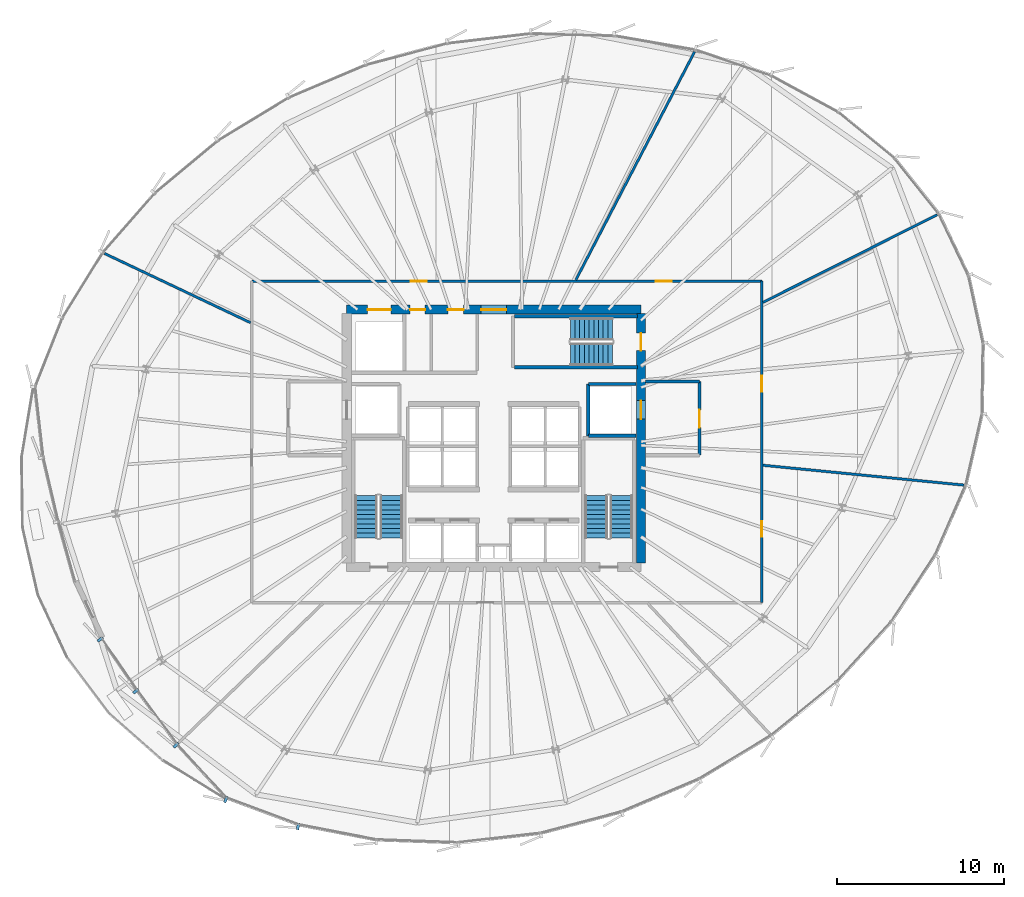
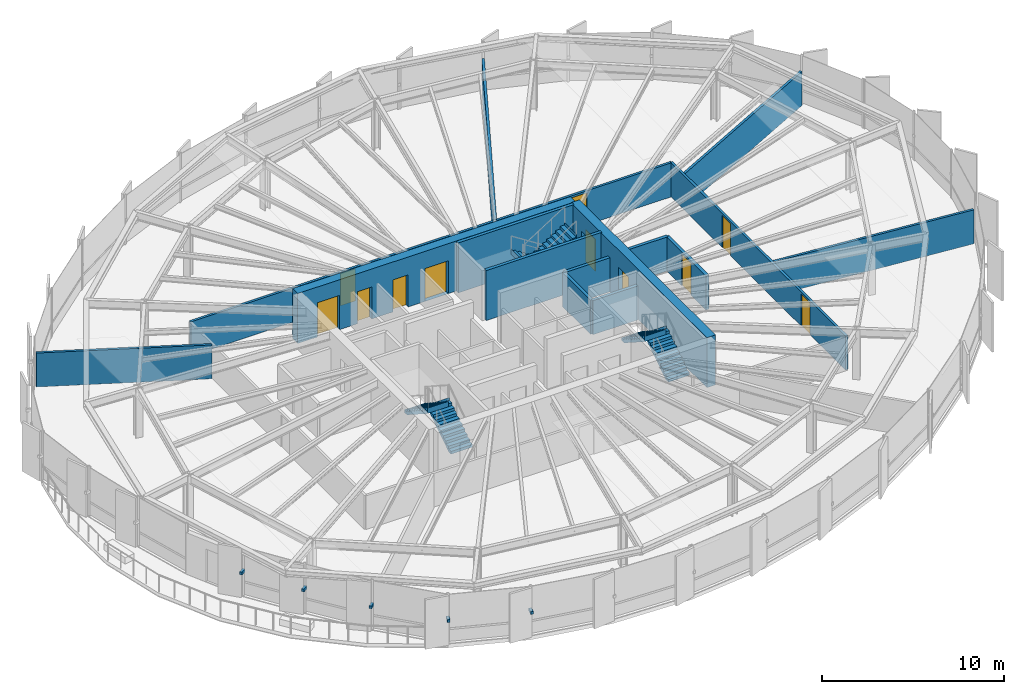
# One storey, part 28 of 33: 15 walls, 11 doors, 6 stair flights, 5 discrete accessories, 11 openings, 3 elements without a shape of their own.
"""IFC4 building model written with IfcOpenShell, lengths in metres."""

from ifc_helpers import new_model, si_unit, direction, frame, frame_2d, origin, origin_2d, place, context, subcontext, project, spatial, polyline, rectangle, outline, extrude, source, transform, mapped, material, layer, layer_set, type_object, element, fill, aggregate, save


model = new_model("IFC4")

# Units and contexts
model_context = context("Model", 3, precision=1e-05, world=origin(), true_north=direction((0.0, 1.0)))
body_context = subcontext(model_context, "Body", "Model", "MODEL_VIEW")
ifc_project = project(units=[si_unit("LENGTHUNIT", "METRE"), si_unit("AREAUNIT", "SQUARE_METRE"), si_unit("VOLUMEUNIT", "CUBIC_METRE"), si_unit("PLANEANGLEUNIT", "RADIAN"), si_unit("MASSUNIT", "GRAM", prefix="KILO"), si_unit("THERMODYNAMICTEMPERATUREUNIT", "KELVIN")], contexts=[model_context])

# Site, building, storey
site_placement = place(None, origin())
site = spatial("IfcSite", under=ifc_project, at=site_placement, CompositionType="ELEMENT")
building_placement = place(site_placement, origin())
building = spatial("IfcBuilding", under=site, at=building_placement, Name="Kethvar Cultural Tower", CompositionType="ELEMENT")
storey_placement = place(building_placement, frame((0.0, 0.0, 110.800048828125)))
storey = spatial("IfcBuildingStorey", under=building, at=storey_placement, Name="L27", CompositionType="ELEMENT", Elevation=110.800048828125)

# Wall, openings, doors
ifc_material_1 = material(Name="Concrete C60/75", Category="concrete")
ifc_layer_1 = layer(ifc_material_1, 0.550048828125, Name="Concrete C60/75", Category="concrete")
ifc_layer_set_1 = layer_set([ifc_layer_1], Name="Concrete C60/75 (550 mm)")
wall_type_1 = type_object("IfcWallType", Name="WL-CORE-550", PredefinedType="SHEAR", material=ifc_layer_set_1)
wall_1_placement = place(storey_placement, frame((55.60009765625, 35.5, 0.0), z_axis=(0.0, 0.0, 1.0), x_axis=(-1.0, 0.0, 0.0)))
wall_1 = element("IfcWall", 1, at=wall_1_placement, inside=storey, type_object=wall_type_1, Name="L27 Core Shear Wall N", PredefinedType="SHEAR", context=body_context, shape_type="SweptSolid", body=[
    extrude(rectangle(XDim=17.60009765625, YDim=0.550048828125, at=frame_2d((8.800048828125, 0.0))), origin(), (0.0, 0.0, 1.0), 3.349853515625),
])
opening_1_placement = place(wall_1_placement, frame((8.050048828125, 0.0, 0.0)))
opening_1 = element("IfcOpeningElement", 2, at=opening_1_placement, cuts=wall_1, Name="Opening D-L27-LN", PredefinedType="OPENING", context=body_context, shape_type="SweptSolid", body=[
    extrude(rectangle(XDim=1.5, YDim=2.199951171875, at=frame_2d((0.75, 1.10009765625))), frame((0.0, 0.284912109375, 0.0), z_axis=(0.0, -1.0, 0.0), x_axis=(1.0, 0.0, 0.0)), (0.0, 0.0, 1.0), 0.570068359375),
])
opening_2_placement = place(wall_1_placement, frame((14.949951171875, 0.0, 0.0)))
opening_2 = element("IfcOpeningElement", 3, at=opening_2_placement, cuts=wall_1, Name="Opening LD-G1", PredefinedType="OPENING", context=body_context, shape_type="SweptSolid", body=[
    extrude(rectangle(XDim=1.39990234375, YDim=2.300048828125, at=frame_2d((0.699951171875, 1.14990234375))), frame((0.0, 0.284912109375, 0.0), z_axis=(0.0, -1.0, 0.0), x_axis=(1.0, 0.0, 0.0)), (0.0, 0.0, 1.0), 0.570068359375),
])
opening_3_placement = place(wall_1_placement, frame((12.89990234375, 0.0, 0.0)))
opening_3 = element("IfcOpeningElement", 4, at=opening_3_placement, cuts=wall_1, Name="Opening D-L27-W1", PredefinedType="OPENING", context=body_context, shape_type="SweptSolid", body=[
    extrude(rectangle(XDim=0.89990234375, YDim=2.14990234375, at=frame_2d((0.449951171875, 1.074951171875))), frame((0.0, 0.284912109375, 0.0), z_axis=(0.0, -1.0, 0.0), x_axis=(1.0, 0.0, 0.0)), (0.0, 0.0, 1.0), 0.570068359375),
])
opening_4_placement = place(wall_1_placement, frame((10.60009765625, 0.0, 0.0)))
opening_4 = element("IfcOpeningElement", 5, at=opening_4_placement, cuts=wall_1, Name="Opening D-L27-W2", PredefinedType="OPENING", context=body_context, shape_type="SweptSolid", body=[
    extrude(rectangle(XDim=0.949951171875, YDim=2.14990234375, at=frame_2d((0.47509765625, 1.074951171875))), frame((0.0, 0.284912109375, 0.0), z_axis=(0.0, -1.0, 0.0), x_axis=(1.0, 0.0, 0.0)), (0.0, 0.0, 1.0), 0.570068359375),
])
ifc_material_2 = material(Name="Architectural Oak Timber", Category="wood")
door_type_1 = type_object("IfcDoorType", Name="DR-DBL-FD60-1500", OperationType="DOUBLE_DOOR_SINGLE_SWING", PredefinedType="DOOR", material=ifc_material_2)
shared_shape_1 = source(origin(), body_context, "Body", "SweptSolid", [
    extrude(rectangle(XDim=1.5, YDim=2.199951171875, at=frame_2d((0.75, 1.10009765625))), frame((0.0, 0.02490234375, 0.0), z_axis=(0.0, -1.0, 0.0), x_axis=(1.0, 0.0, 0.0)), (0.0, 0.0, 1.0), 0.050048828125),
])
door_1_placement = place(opening_1_placement, origin())
door_1 = element("IfcDoor", 6, at=door_1_placement, inside=storey, type_object=door_type_1, Name="L27 Lift Lobby Concourse Door", OperationType="DOUBLE_DOOR_SINGLE_SWING", OverallHeight=2.199951171875, OverallWidth=1.5, PredefinedType="DOOR", context=body_context, shape_type="MappedRepresentation", body=[
    mapped(shared_shape_1, transform((0.0, 0.0, 0.0), scale=1.0)),
])
fill(opening_1, door_1)
ifc_material_3 = material(Name="Steel S355J2", Category="steel")
door_type_2 = type_object("IfcDoorType", Name="DR-LIFT-SLIDE-1400", OperationType="NOTDEFINED", PredefinedType="DOOR", material=ifc_material_3)
shared_shape_2 = source(origin(), body_context, "Body", "SweptSolid", [
    extrude(rectangle(XDim=1.39990234375, YDim=2.300048828125, at=frame_2d((0.699951171875, 1.14990234375))), frame((0.0, 0.02490234375, 0.0), z_axis=(0.0, -1.0, 0.0), x_axis=(1.0, 0.0, 0.0)), (0.0, 0.0, 1.0), 0.050048828125),
])
door_2_placement = place(opening_2_placement, origin())
door_2 = element("IfcDoor", 7, at=door_2_placement, inside=storey, type_object=door_type_2, Name="L27 Goods Lift Landing Door", OperationType="SLIDING_TO_RIGHT", OverallHeight=2.300048828125, OverallWidth=1.39990234375, PredefinedType="DOOR", context=body_context, shape_type="MappedRepresentation", body=[
    mapped(shared_shape_2, transform((0.0, 0.0, 0.0), scale=1.0)),
])
fill(opening_2, door_2)
door_type_3 = type_object("IfcDoorType", Name="DR-FD30-950", OperationType="NOTDEFINED", PredefinedType="DOOR", material=ifc_material_2)
shared_shape_3 = source(origin(), body_context, "Body", "SweptSolid", [
    extrude(rectangle(XDim=0.949951171875, YDim=2.14990234375, at=frame_2d((0.47509765625, 1.074951171875))), frame((0.0, 0.02490234375, 0.0), z_axis=(0.0, -1.0, 0.0), x_axis=(1.0, 0.0, 0.0)), (0.0, 0.0, 1.0), 0.050048828125),
])
door_3_placement = place(opening_4_placement, origin())
door_3 = element("IfcDoor", 8, at=door_3_placement, inside=storey, type_object=door_type_3, Name="L27 Public Washroom Door", OperationType="SINGLE_SWING_RIGHT", OverallHeight=2.14990234375, OverallWidth=0.949951171875, PredefinedType="DOOR", context=body_context, shape_type="MappedRepresentation", body=[
    mapped(shared_shape_3, transform((0.0, 0.0, 0.0), scale=1.0)),
])
fill(opening_4, door_3)
door_type_4 = type_object("IfcDoorType", Name="DR-FD30-900", OperationType="NOTDEFINED", PredefinedType="DOOR", material=ifc_material_2)
shared_shape_4 = source(origin(), body_context, "Body", "SweptSolid", [
    extrude(rectangle(XDim=0.89990234375, YDim=2.14990234375, at=frame_2d((0.449951171875, 1.074951171875))), frame((0.0, 0.02490234375, 0.0), z_axis=(0.0, -1.0, 0.0), x_axis=(1.0, 0.0, 0.0)), (0.0, 0.0, 1.0), 0.050048828125),
])
door_4_placement = place(opening_3_placement, origin())
door_4 = element("IfcDoor", 9, at=door_4_placement, inside=storey, type_object=door_type_4, Name="L27 Accessible Washroom Door", OperationType="SINGLE_SWING_LEFT", OverallHeight=2.14990234375, OverallWidth=0.89990234375, PredefinedType="DOOR", context=body_context, shape_type="MappedRepresentation", body=[
    mapped(shared_shape_4, transform((0.0, 0.0, 0.0), scale=1.0)),
])
fill(opening_3, door_4)

wall_2_placement = place(storey_placement, frame((55.60009765625, 20.340087890625, 0.0), z_axis=(0.0, 0.0, 1.0), x_axis=(0.0, 1.0, 0.0)))
wall_2 = element("IfcWall", 10, at=wall_2_placement, inside=storey, type_object=wall_type_1, Name="L27 Core Shear Wall E", PredefinedType="SHEAR", context=body_context, shape_type="SweptSolid", body=[
    extrude(rectangle(XDim=14.919921875, YDim=0.550048828125, at=frame_2d((7.4599609375, 0.0))), origin(), (0.0, 0.0, 1.0), 3.349853515625),
])
opening_5_placement = place(wall_2_placement, frame((12.7099609375, 0.0, 0.0)))
opening_5 = element("IfcOpeningElement", 11, at=opening_5_placement, cuts=wall_2, Name="Opening D-L27-S3", PredefinedType="OPENING", context=body_context, shape_type="SweptSolid", body=[
    extrude(rectangle(XDim=1.050048828125, YDim=2.14990234375, at=frame_2d((0.52490234375, 1.074951171875))), frame((0.0, 0.284912109375, 0.0), z_axis=(0.0, -1.0, 0.0), x_axis=(1.0, 0.0, 0.0)), (0.0, 0.0, 1.0), 0.570068359375),
])
opening_6_placement = place(wall_2_placement, frame((8.610107421875, 0.0, 0.0)))
opening_6 = element("IfcOpeningElement", 12, at=opening_6_placement, cuts=wall_2, Name="Opening LD-2", PredefinedType="OPENING", context=body_context, shape_type="SweptSolid", body=[
    extrude(rectangle(XDim=1.10009765625, YDim=2.199951171875, at=frame_2d((0.550048828125, 1.10009765625))), frame((0.0, 0.284912109375, 0.0), z_axis=(0.0, -1.0, 0.0), x_axis=(1.0, 0.0, 0.0)), (0.0, 0.0, 1.0), 0.570068359375),
])
door_type_5 = type_object("IfcDoorType", Name="DR-FD60-1050", OperationType="NOTDEFINED", PredefinedType="DOOR", material=ifc_material_3)
shared_shape_5 = source(origin(), body_context, "Body", "SweptSolid", [
    extrude(rectangle(XDim=1.050048828125, YDim=2.14990234375, at=frame_2d((0.52490234375, 1.074951171875))), frame((0.0, 0.02490234375, 0.0), z_axis=(0.0, -1.0, 0.0), x_axis=(1.0, 0.0, 0.0)), (0.0, 0.0, 1.0), 0.050048828125),
])
door_5_placement = place(opening_5_placement, origin())
door_5 = element("IfcDoor", 13, at=door_5_placement, inside=storey, type_object=door_type_5, Name="L27 Exit Stair 3 Door", OperationType="SINGLE_SWING_LEFT", OverallHeight=2.14990234375, OverallWidth=1.050048828125, PredefinedType="DOOR", context=body_context, shape_type="MappedRepresentation", body=[
    mapped(shared_shape_5, transform((0.0, 0.0, 0.0), scale=1.0)),
])
fill(opening_5, door_5)
door_type_6 = type_object("IfcDoorType", Name="DR-LIFT-SLIDE-1100", OperationType="NOTDEFINED", PredefinedType="DOOR", material=ifc_material_3)
shared_shape_6 = source(origin(), body_context, "Body", "SweptSolid", [
    extrude(rectangle(XDim=1.10009765625, YDim=2.199951171875, at=frame_2d((0.550048828125, 1.10009765625))), frame((0.0, 0.02490234375, 0.0), z_axis=(0.0, -1.0, 0.0), x_axis=(1.0, 0.0, 0.0)), (0.0, 0.0, 1.0), 0.050048828125),
])
door_6_placement = place(opening_6_placement, origin())
door_6 = element("IfcDoor", 14, at=door_6_placement, inside=storey, type_object=door_type_6, Name="L27 Firefighting Lift Landing Door FFL-02", OperationType="SLIDING_TO_RIGHT", OverallHeight=2.199951171875, OverallWidth=1.10009765625, PredefinedType="DOOR", context=body_context, shape_type="MappedRepresentation", body=[
    mapped(shared_shape_6, transform((0.0, 0.0, 0.0), scale=1.0)),
])
fill(opening_6, door_6)

ifc_material_4 = material(Name="Gypsum Fireboard Partition")
ifc_layer_2 = layer(ifc_material_4, 0.14990234375, Name="Gypsum Fireboard Partition")
ifc_layer_set_2 = layer_set([ifc_layer_2], Name="Gypsum Fireboard Partition (150 mm)")
wall_type_2 = type_object("IfcWallType", Name="WL-FIRE-150", PredefinedType="PARTITIONING", material=ifc_layer_set_2)
wall_3_placement = place(storey_placement, frame((62.830078125, 17.97998046875, 0.0), z_axis=(0.0, 0.0, 1.0), x_axis=(0.0, 1.0, 0.0)))
wall_3 = element("IfcWall", 15, at=wall_3_placement, inside=storey, type_object=wall_type_2, Name="L27 Corridor Rated Wall E", PredefinedType="PARTITIONING", context=body_context, shape_type="SweptSolid", body=[
    extrude(rectangle(XDim=19.219970703125, YDim=0.14990234375, at=frame_2d((9.60986328125, 0.0))), origin(), (0.0, 0.0, 1.0), 2.280029296875),
])
opening_7_placement = place(wall_3_placement, frame((3.924072265625, 0.0, 0.0)))
opening_7 = element("IfcOpeningElement", 16, at=opening_7_placement, cuts=wall_3, Name="Opening D-L27-02", PredefinedType="OPENING", context=body_context, shape_type="SweptSolid", body=[
    extrude(rectangle(XDim=0.949951171875, YDim=2.14990234375, at=frame_2d((0.47509765625, 1.074951171875))), frame((0.0, 0.0849609375, 0.0), z_axis=(0.0, -1.0, 0.0), x_axis=(1.0, 0.0, 0.0)), (0.0, 0.0, 1.0), 0.169921875),
])
opening_8_placement = place(wall_3_placement, frame((12.6103515625, 0.0, 0.0)))
opening_8 = element("IfcOpeningElement", 17, at=opening_8_placement, cuts=wall_3, Name="Opening D-L27-03", PredefinedType="OPENING", context=body_context, shape_type="SweptSolid", body=[
    extrude(rectangle(XDim=0.949951171875, YDim=2.14990234375, at=frame_2d((0.47509765625, 1.074951171875))), frame((0.0, 0.0849609375, 0.0), z_axis=(0.0, -1.0, 0.0), x_axis=(1.0, 0.0, 0.0)), (0.0, 0.0, 1.0), 0.169921875),
])
door_7_placement = place(opening_7_placement, origin())
door_7 = element("IfcDoor", 18, at=door_7_placement, inside=storey, type_object=door_type_3, Name="L27 Curatorial Concierge Foyer 02 Door", OperationType="SINGLE_SWING_LEFT", OverallHeight=2.14990234375, OverallWidth=0.949951171875, PredefinedType="DOOR", context=body_context, shape_type="MappedRepresentation", body=[
    mapped(shared_shape_3, transform((0.0, 0.0, 0.0), scale=1.0)),
])
fill(opening_7, door_7)
door_8_placement = place(opening_8_placement, origin())
door_8 = element("IfcDoor", 19, at=door_8_placement, inside=storey, type_object=door_type_3, Name="L27 Cartography Reading Library 03 Door", OperationType="SINGLE_SWING_RIGHT", OverallHeight=2.14990234375, OverallWidth=0.949951171875, PredefinedType="DOOR", context=body_context, shape_type="MappedRepresentation", body=[
    mapped(shared_shape_3, transform((0.0, 0.0, 0.0), scale=1.0)),
])
fill(opening_8, door_8)

wall_4_placement = place(storey_placement, frame((62.830078125, 37.199951171875, 0.0), z_axis=(0.0, 0.0, 1.0), x_axis=(-1.0, 0.0, 0.0)))
wall_4 = element("IfcWall", 20, at=wall_4_placement, inside=storey, type_object=wall_type_2, Name="L27 Corridor Rated Wall N", PredefinedType="PARTITIONING", context=body_context, shape_type="SweptSolid", body=[
    extrude(rectangle(XDim=30.5, YDim=0.14990234375, at=frame_2d((15.25, 0.0))), origin(), (0.0, 0.0, 1.0), 2.280029296875),
])
opening_9_placement = place(wall_4_placement, frame((5.396484375, 0.0, 0.0)))
opening_9 = element("IfcOpeningElement", 21, at=opening_9_placement, cuts=wall_4, Name="Opening D-L27-04", PredefinedType="OPENING", context=body_context, shape_type="SweptSolid", body=[
    extrude(rectangle(XDim=0.949951171875, YDim=2.14990234375, at=frame_2d((0.47509765625, 1.074951171875))), frame((0.0, 0.0849609375, 0.0), z_axis=(0.0, -1.0, 0.0), x_axis=(1.0, 0.0, 0.0)), (0.0, 0.0, 1.0), 0.169921875),
])
opening_10_placement = place(wall_4_placement, frame((20.048828125, 0.0, 0.0)))
opening_10 = element("IfcOpeningElement", 22, at=opening_10_placement, cuts=wall_4, Name="Opening D-L27-05", PredefinedType="OPENING", context=body_context, shape_type="SweptSolid", body=[
    extrude(rectangle(XDim=0.949951171875, YDim=2.14990234375, at=frame_2d((0.47509765625, 1.074951171875))), frame((0.0, 0.0849609375, 0.0), z_axis=(0.0, -1.0, 0.0), x_axis=(1.0, 0.0, 0.0)), (0.0, 0.0, 1.0), 0.169921875),
])
door_9_placement = place(opening_9_placement, origin())
door_9 = element("IfcDoor", 23, at=door_9_placement, inside=storey, type_object=door_type_3, Name="L27 Hospitality Sitting Lounge 04 Door", OperationType="SINGLE_SWING_LEFT", OverallHeight=2.14990234375, OverallWidth=0.949951171875, PredefinedType="DOOR", context=body_context, shape_type="MappedRepresentation", body=[
    mapped(shared_shape_3, transform((0.0, 0.0, 0.0), scale=1.0)),
])
fill(opening_9, door_9)
door_10_placement = place(opening_10_placement, origin())
door_10 = element("IfcDoor", 24, at=door_10_placement, inside=storey, type_object=door_type_3, Name="L27 Colloquium Seminar Room 05 Door", OperationType="SINGLE_SWING_RIGHT", OverallHeight=2.14990234375, OverallWidth=0.949951171875, PredefinedType="DOOR", context=body_context, shape_type="MappedRepresentation", body=[
    mapped(shared_shape_3, transform((0.0, 0.0, 0.0), scale=1.0)),
])
fill(opening_10, door_10)

# Walls
ifc_material_5 = material(Name="Concrete C40/50", Category="concrete")
ifc_layer_3 = layer(ifc_material_5, 0.199951171875, Name="Concrete C40/50", Category="concrete")
ifc_layer_set_3 = layer_set([ifc_layer_3], Name="Concrete C40/50 (200 mm)")
wall_type_3 = type_object("IfcWallType", Name="WL-FIRE-200", PredefinedType="PARTITIONING", material=ifc_layer_set_3)
wall_5_placement = place(storey_placement, frame((52.449951171875, 27.949951171875, 0.0), z_axis=(0.0, 0.0, 1.0), x_axis=(0.0, 1.0, 0.0)))
element("IfcWall", 25, at=wall_5_placement, inside=storey, type_object=wall_type_3, Name="L27 FFL-02 Shaft Inner Wall", PredefinedType="PARTITIONING", context=body_context, shape_type="SweptSolid", body=[
    extrude(rectangle(XDim=3.10009765625, YDim=0.199951171875, at=frame_2d((1.550048828125, 0.0))), origin(), (0.0, 0.0, 1.0), 2.280029296875),
])
for number, where, z_axis, x_axis, name in (
    (26, (52.449951171875, 27.949951171875, 0.0), (0.0, 0.0, 1.0), (1.0, 0.0, 0.0), "L27 FFL-02 Shaft South Wall"),
    (27, (52.449951171875, 31.050048828125, 0.0), (0.0, 0.0, 1.0), (1.0, 0.0, 0.0), "L27 FFL-02 Shaft North Wall"),
):
    element("IfcWall", number, at=place(storey_placement, frame(where, z_axis=z_axis, x_axis=x_axis)), inside=storey, type_object=wall_type_3, Name=name, PredefinedType="PARTITIONING", context=body_context, shape_type="SweptSolid", body=[
        extrude(rectangle(XDim=2.864990234375, YDim=0.199951171875, at=frame_2d((1.4326171875, 0.0))), origin(), (0.0, 0.0, 1.0), 2.280029296875),
    ])

# Wall, opening, door
wall_6_placement = place(storey_placement, frame((59.10009765625, 26.800048828125, 0.0), z_axis=(0.0, 0.0, 1.0), x_axis=(0.0, 1.0, 0.0)))
wall_6 = element("IfcWall", 28, at=wall_6_placement, inside=storey, type_object=wall_type_3, Name="L27 Firefighting Lobby 2 Wall", PredefinedType="PARTITIONING", context=body_context, shape_type="SweptSolid", body=[
    extrude(rectangle(XDim=4.39990234375, YDim=0.199951171875, at=frame_2d((2.199951171875, 0.0))), origin(), (0.0, 0.0, 1.0), 2.280029296875),
])
opening_11_placement = place(wall_6_placement, frame((1.64990234375, 0.0, 0.0)))
opening_11 = element("IfcOpeningElement", 29, at=opening_11_placement, cuts=wall_6, Name="Opening D-L27-F2", PredefinedType="OPENING", context=body_context, shape_type="SweptSolid", body=[
    extrude(rectangle(XDim=1.050048828125, YDim=2.14990234375, at=frame_2d((0.52490234375, 1.074951171875))), frame((0.0, 0.10986328125, 0.0), z_axis=(0.0, -1.0, 0.0), x_axis=(1.0, 0.0, 0.0)), (0.0, 0.0, 1.0), 0.219970703125),
])
door_11_placement = place(opening_11_placement, origin())
door_11 = element("IfcDoor", 30, at=door_11_placement, inside=storey, type_object=door_type_5, Name="L27 Firefighting Lobby 2 Fire Door", OperationType="SINGLE_SWING_LEFT", OverallHeight=2.14990234375, OverallWidth=1.050048828125, PredefinedType="DOOR", context=body_context, shape_type="MappedRepresentation", body=[
    mapped(shared_shape_5, transform((0.0, 0.0, 0.0), scale=1.0)),
])
fill(opening_11, door_11)

# Walls
wall_7_placement = place(storey_placement, frame((55.885009765625, 31.199951171875, 0.0), z_axis=(0.0, 0.0, 1.0), x_axis=(1.0, 0.0, 0.0)))
element("IfcWall", 31, at=wall_7_placement, inside=storey, type_object=wall_type_3, Name="L27 FF Lobby 2 North Wall", PredefinedType="PARTITIONING", context=body_context, shape_type="SweptSolid", body=[
    extrude(rectangle(XDim=3.215087890625, YDim=0.199951171875, at=frame_2d((1.607421875, 0.0))), origin(), (0.0, 0.0, 1.0), 2.280029296875),
])
ifc_material_6 = material(Name="Gypsum Acoustic Partition")
ifc_layer_4 = layer(ifc_material_6, 0.14990234375, Name="Gypsum Acoustic Partition")
ifc_layer_set_4 = layer_set([ifc_layer_4], Name="Gypsum Acoustic Partition (150 mm)")
wall_type_4 = type_object("IfcWallType", Name="WL-PART-150", PredefinedType="PARTITIONING", material=ifc_layer_set_4)
wall_8_placement = place(storey_placement, frame((62.90966796875, 26.190185546875, 0.0), z_axis=(0.0, 0.0, 1.0), x_axis=(0.995158113717, -0.098286971176, 0.0)))
element("IfcWall", 32, at=wall_8_placement, inside=storey, type_object=wall_type_4, Name="L27 Radial Partition Wall 03", PredefinedType="PARTITIONING", context=body_context, shape_type="SweptSolid", body=[
    extrude(rectangle(XDim=12.0595703125, YDim=0.14990234375, at=frame_2d((6.02978515625, 0.0))), origin(), (0.0, 0.0, 1.0), 2.280029296875),
])
wall_9_placement = place(storey_placement, frame((62.901611328125, 35.936279296875, 0.0), z_axis=(0.0, 0.0, 1.0), x_axis=(0.893411700763, 0.449238837302, 0.0)))
element("IfcWall", 33, at=wall_9_placement, inside=storey, type_object=wall_type_4, Name="L27 Radial Partition Wall 04", PredefinedType="PARTITIONING", context=body_context, shape_type="SweptSolid", body=[
    extrude(rectangle(XDim=11.66259765625, YDim=0.14990234375, at=frame_2d((5.831298828125, 0.0))), origin(), (0.0, 0.0, 1.0), 2.280029296875),
])
wall_10_placement = place(storey_placement, frame((51.703857421875, 37.27099609375, 0.0), z_axis=(0.0, 0.0, 1.0), x_axis=(0.46175664528, 0.887006651914, 0.0)))
element("IfcWall", 34, at=wall_10_placement, inside=storey, type_object=wall_type_4, Name="L27 Radial Partition Wall 05", PredefinedType="PARTITIONING", context=body_context, shape_type="SweptSolid", body=[
    extrude(rectangle(XDim=15.394775390625, YDim=0.14990234375, at=frame_2d((7.697265625, 0.0))), origin(), (0.0, 0.0, 1.0), 2.280029296875),
])
wall_11_placement = place(storey_placement, frame((32.2578125, 34.715087890625, 0.0), z_axis=(0.0, 0.0, 1.0), x_axis=(-0.90364422313, 0.428283922187, 0.0)))
element("IfcWall", 35, at=wall_11_placement, inside=storey, type_object=wall_type_4, Name="L27 Radial Partition Wall 06", PredefinedType="PARTITIONING", context=body_context, shape_type="SweptSolid", body=[
    extrude(rectangle(XDim=9.666748046875, YDim=0.14990234375, at=frame_2d((4.83349609375, 0.0))), origin(), (0.0, 0.0, 1.0), 2.280029296875),
])
ifc_material_7 = material(Name="Concrete C50/60", Category="concrete")
ifc_layer_5 = layer(ifc_material_7, 0.199951171875, Name="Concrete C50/60", Category="concrete")
ifc_layer_set_5 = layer_set([ifc_layer_5], Name="Concrete C50/60 (200 mm)")
wall_type_5 = type_object("IfcWallType", Name="WL-STSHAFT-200", PredefinedType="SHEAR", material=ifc_layer_set_5)
for number, where, z_axis, x_axis, name in (
    (36, (48.050048828125, 35.110107421875, 0.0), (0.0, 0.0, 1.0), (1.0, 0.0, 0.0), "L27 ST-03 Stair Shaft Wall LEFT"),
    (37, (55.39990234375, 32.050048828125, 0.0), (0.0, 0.0, 1.0), (-1.0, 0.0, 0.0), "L27 ST-03 Stair Shaft Wall RIGHT"),
):
    element("IfcWall", number, at=place(storey_placement, frame(where, z_axis=z_axis, x_axis=x_axis)), inside=storey, type_object=wall_type_5, Name=name, PredefinedType="SHEAR", context=body_context, shape_type="SweptSolid", body=[
        extrude(rectangle(XDim=7.349853515625, YDim=0.199951171875, at=frame_2d((3.6748046875, 0.0))), origin(), (0.0, 0.0, 1.0), 3.349853515625),
    ])

# Stair, stair flights
stair_type = type_object("IfcStairType", Name="ST-DOGLEG-135", PredefinedType="HALF_TURN_STAIR", material=ifc_material_5)
stair_1_placement = place(storey_placement, origin())
stair_1 = element("IfcStair", 38, at=stair_1_placement, inside=storey, type_object=stair_type, Name="L27 Core Exit Stair 1", PredefinedType="HALF_TURN_STAIR")
stair_flight_type = type_object("IfcStairFlightType", Name="FL-STRAIGHT-135", PredefinedType="STRAIGHT", material=ifc_material_5)
stair_flight_1_placement = place(storey_placement, frame((40.675048828125, 21.85009765625, 0.0), z_axis=(0.0, 0.0, 1.0), x_axis=(0.0, 1.0, 0.0)))
stair_flight_1 = element("IfcStairFlight", 39, at=stair_flight_1_placement, type_object=stair_flight_type, Name="ST-01 flight 1", NumberOfRisers=10, NumberOfTreads=9, PredefinedType="STRAIGHT", RiserHeight=0.18, TreadLength=0.28, context=body_context, shape_type="SweptSolid", body=[
    extrude(outline(polyline([(-0.0009765625, -0.0009765625), (-0.0009765625, 0.179931640625), (0.280029296875, 0.179931640625), (0.280029296875, 0.360107421875), (0.56005859375, 0.360107421875), (0.56005859375, 0.5400390625), (0.840087890625, 0.5400390625), (0.840087890625, 0.719970703125), (1.1201171875, 0.719970703125), (1.1201171875, 0.89990234375), (1.39990234375, 0.89990234375), (1.39990234375, 1.080078125), (1.679931640625, 1.080078125), (1.679931640625, 1.260009765625), (1.9599609375, 1.260009765625), (1.9599609375, 1.43994140625), (2.239990234375, 1.43994140625), (2.239990234375, 1.6201171875), (2.52001953125, 1.6201171875), (2.52001953125, 1.800048828125), (2.52099609375, 1.800048828125), (2.52099609375, 1.44189453125), (0.277099609375, 0.0), (0.0, -0.0009765625), (-0.0009765625, -0.0009765625)])), frame((0.0, 0.675048828125, 0.0), z_axis=(0.0, -1.0, 0.0), x_axis=(1.0, 0.0, 0.0)), (0.0, 0.0, 1.0), 1.35009765625),
])
stair_flight_2_placement = place(storey_placement, frame((39.1650390625, 24.3701171875, 1.800048828125), z_axis=(0.0, 0.0, 1.0), x_axis=(0.0, -1.0, 0.0)))
stair_flight_2 = element("IfcStairFlight", 40, at=stair_flight_2_placement, type_object=stair_flight_type, Name="ST-01 flight 2", NumberOfRisers=10, NumberOfTreads=9, PredefinedType="STRAIGHT", RiserHeight=0.18, TreadLength=0.28, context=body_context, shape_type="SweptSolid", body=[
    extrude(outline(polyline([(-0.0009765625, -0.0009765625), (-0.0009765625, 0.179931640625), (0.280029296875, 0.179931640625), (0.280029296875, 0.360107421875), (0.56005859375, 0.360107421875), (0.56005859375, 0.5400390625), (0.840087890625, 0.5400390625), (0.840087890625, 0.719970703125), (1.1201171875, 0.719970703125), (1.1201171875, 0.89990234375), (1.39990234375, 0.89990234375), (1.39990234375, 1.080078125), (1.679931640625, 1.080078125), (1.679931640625, 1.260009765625), (1.9599609375, 1.260009765625), (1.9599609375, 1.43994140625), (2.239990234375, 1.43994140625), (2.239990234375, 1.6201171875), (2.52001953125, 1.6201171875), (2.52001953125, 1.800048828125), (2.52099609375, 1.800048828125), (2.52099609375, 1.44189453125), (0.277099609375, 0.0), (0.0, -0.0009765625), (-0.0009765625, -0.0009765625)])), frame((0.0, 0.675048828125, 0.0), z_axis=(0.0, -1.0, 0.0), x_axis=(1.0, 0.0, 0.0)), (0.0, 0.0, 1.0), 1.35009765625),
])
aggregate(stair_1, [stair_flight_1, stair_flight_2])

stair_2_placement = place(storey_placement, origin())
stair_2 = element("IfcStair", 41, at=stair_2_placement, inside=storey, type_object=stair_type, Name="L27 Core Exit Stair 2", PredefinedType="HALF_TURN_STAIR")
stair_flight_3_placement = place(storey_placement, frame((54.43505859375, 21.85009765625, 0.0), z_axis=(0.0, 0.0, 1.0), x_axis=(0.0, 1.0, 0.0)))
stair_flight_3 = element("IfcStairFlight", 42, at=stair_flight_3_placement, type_object=stair_flight_type, Name="ST-02 flight 1", NumberOfRisers=10, NumberOfTreads=9, PredefinedType="STRAIGHT", RiserHeight=0.18, TreadLength=0.28, context=body_context, shape_type="SweptSolid", body=[
    extrude(outline(polyline([(-0.0009765625, -0.0009765625), (-0.0009765625, 0.179931640625), (0.280029296875, 0.179931640625), (0.280029296875, 0.360107421875), (0.56005859375, 0.360107421875), (0.56005859375, 0.5400390625), (0.840087890625, 0.5400390625), (0.840087890625, 0.719970703125), (1.1201171875, 0.719970703125), (1.1201171875, 0.89990234375), (1.39990234375, 0.89990234375), (1.39990234375, 1.080078125), (1.679931640625, 1.080078125), (1.679931640625, 1.260009765625), (1.9599609375, 1.260009765625), (1.9599609375, 1.43994140625), (2.239990234375, 1.43994140625), (2.239990234375, 1.6201171875), (2.52001953125, 1.6201171875), (2.52001953125, 1.800048828125), (2.52099609375, 1.800048828125), (2.52099609375, 1.44189453125), (0.277099609375, 0.0), (0.0, -0.0009765625), (-0.0009765625, -0.0009765625)])), frame((0.0, 0.675048828125, 0.0), z_axis=(0.0, -1.0, 0.0), x_axis=(1.0, 0.0, 0.0)), (0.0, 0.0, 1.0), 1.35009765625),
])
stair_flight_4_placement = place(storey_placement, frame((52.925048828125, 24.3701171875, 1.800048828125), z_axis=(0.0, 0.0, 1.0), x_axis=(0.0, -1.0, 0.0)))
stair_flight_4 = element("IfcStairFlight", 43, at=stair_flight_4_placement, type_object=stair_flight_type, Name="ST-02 flight 2", NumberOfRisers=10, NumberOfTreads=9, PredefinedType="STRAIGHT", RiserHeight=0.18, TreadLength=0.28, context=body_context, shape_type="SweptSolid", body=[
    extrude(outline(polyline([(-0.0009765625, -0.0009765625), (-0.0009765625, 0.179931640625), (0.280029296875, 0.179931640625), (0.280029296875, 0.360107421875), (0.56005859375, 0.360107421875), (0.56005859375, 0.5400390625), (0.840087890625, 0.5400390625), (0.840087890625, 0.719970703125), (1.1201171875, 0.719970703125), (1.1201171875, 0.89990234375), (1.39990234375, 0.89990234375), (1.39990234375, 1.080078125), (1.679931640625, 1.080078125), (1.679931640625, 1.260009765625), (1.9599609375, 1.260009765625), (1.9599609375, 1.43994140625), (2.239990234375, 1.43994140625), (2.239990234375, 1.6201171875), (2.52001953125, 1.6201171875), (2.52001953125, 1.800048828125), (2.52099609375, 1.800048828125), (2.52099609375, 1.44189453125), (0.277099609375, 0.0), (0.0, -0.0009765625), (-0.0009765625, -0.0009765625)])), frame((0.0, 0.675048828125, 0.0), z_axis=(0.0, -1.0, 0.0), x_axis=(1.0, 0.0, 0.0)), (0.0, 0.0, 1.0), 1.35009765625),
])
aggregate(stair_2, [stair_flight_3, stair_flight_4])

stair_3_placement = place(storey_placement, origin())
stair_3 = element("IfcStair", 44, at=stair_3_placement, inside=storey, type_object=stair_type, Name="L27 Core Exit Stair 3", PredefinedType="HALF_TURN_STAIR")
stair_flight_5_placement = place(storey_placement, frame((53.89990234375, 34.3349609375, 0.0), z_axis=(0.0, 0.0, 1.0), x_axis=(-1.0, 0.0, 0.0)))
stair_flight_5 = element("IfcStairFlight", 45, at=stair_flight_5_placement, type_object=stair_flight_type, Name="ST-03 flight 1", NumberOfRisers=10, NumberOfTreads=9, PredefinedType="STRAIGHT", RiserHeight=0.18, TreadLength=0.28, context=body_context, shape_type="SweptSolid", body=[
    extrude(outline(polyline([(-0.0009765625, -0.0009765625), (-0.0009765625, 0.179931640625), (0.280029296875, 0.179931640625), (0.280029296875, 0.360107421875), (0.56005859375, 0.360107421875), (0.56005859375, 0.5400390625), (0.840087890625, 0.5400390625), (0.840087890625, 0.719970703125), (1.1201171875, 0.719970703125), (1.1201171875, 0.89990234375), (1.39990234375, 0.89990234375), (1.39990234375, 1.080078125), (1.679931640625, 1.080078125), (1.679931640625, 1.260009765625), (1.9599609375, 1.260009765625), (1.9599609375, 1.43994140625), (2.239990234375, 1.43994140625), (2.239990234375, 1.6201171875), (2.52001953125, 1.6201171875), (2.52001953125, 1.800048828125), (2.52099609375, 1.800048828125), (2.52099609375, 1.44189453125), (0.277099609375, 0.0), (0.0, -0.0009765625), (-0.0009765625, -0.0009765625)])), frame((0.0, 0.675048828125, 0.0), z_axis=(0.0, -1.0, 0.0), x_axis=(1.0, 0.0, 0.0)), (0.0, 0.0, 1.0), 1.35009765625),
])
stair_flight_6_placement = place(storey_placement, frame((51.3798828125, 32.824951171875, 1.800048828125), z_axis=(0.0, 0.0, 1.0), x_axis=(1.0, 0.0, 0.0)))
stair_flight_6 = element("IfcStairFlight", 46, at=stair_flight_6_placement, type_object=stair_flight_type, Name="ST-03 flight 2", NumberOfRisers=10, NumberOfTreads=9, PredefinedType="STRAIGHT", RiserHeight=0.18, TreadLength=0.28, context=body_context, shape_type="SweptSolid", body=[
    extrude(outline(polyline([(-0.0009765625, -0.0009765625), (-0.0009765625, 0.179931640625), (0.280029296875, 0.179931640625), (0.280029296875, 0.360107421875), (0.56005859375, 0.360107421875), (0.56005859375, 0.5400390625), (0.840087890625, 0.5400390625), (0.840087890625, 0.719970703125), (1.1201171875, 0.719970703125), (1.1201171875, 0.89990234375), (1.39990234375, 0.89990234375), (1.39990234375, 1.080078125), (1.679931640625, 1.080078125), (1.679931640625, 1.260009765625), (1.9599609375, 1.260009765625), (1.9599609375, 1.43994140625), (2.239990234375, 1.43994140625), (2.239990234375, 1.6201171875), (2.52001953125, 1.6201171875), (2.52001953125, 1.800048828125), (2.52099609375, 1.800048828125), (2.52099609375, 1.44189453125), (0.277099609375, 0.0), (0.0, -0.0009765625), (-0.0009765625, -0.0009765625)])), frame((0.0, 0.675048828125, 0.0), z_axis=(0.0, -1.0, 0.0), x_axis=(1.0, 0.0, 0.0)), (0.0, 0.0, 1.0), 1.35009765625),
])
aggregate(stair_3, [stair_flight_5, stair_flight_6])

# Discrete accessories
discrete_accessory_type = type_object("IfcDiscreteAccessoryType", Name="Steel Fin Bracket BRK-01", PredefinedType="BRACKET", material=ifc_material_3)
shared_shape_7 = source(origin(), body_context, "Body", "SweptSolid", [
    extrude(rectangle(XDim=0.3798828125, YDim=0.159912109375, at=origin_2d()), origin(), (0.0, 0.0, 1.0), 0.179931640625),
])
for number, where, z_axis, x_axis, name in (
    (47, (23.25927734375, 15.777587890625, 1.5849609375), (0.0, 0.0, 1.0), (-0.824126188622, -0.566406236925, 0.0), "L27 Terracotta Fin Bracket 4.1"),
    (48, (25.389892578125, 12.67724609375, 1.5849609375), (0.0, 0.0, 1.0), (-0.803753032213, -0.59496307718, 0.0), "L27 Terracotta Fin Bracket 4.2"),
    (49, (27.78662109375, 9.439453125, 1.5849609375), (0.0, 0.0, 1.0), (-0.735742574804, -0.677261296414, 0.0), "L27 Terracotta Fin Bracket 4.3"),
    (50, (30.77294921875, 6.19677734375, 1.5849609375), (0.0, 0.0, 1.0), (-0.349226308593, -0.937038411905, 0.0), "L27 Terracotta Fin Bracket 4.4"),
    (51, (35.093505859375, 4.58642578125, 1.5849609375), (0.0, 0.0, 1.0), (-0.190123643878, -0.981760154029, 0.0), "L27 Terracotta Fin Bracket 4.5"),
):
    element("IfcDiscreteAccessory", number, at=place(storey_placement, frame(where, z_axis=z_axis, x_axis=x_axis)), inside=storey, type_object=discrete_accessory_type, Name=name, PredefinedType="BRACKET", context=body_context, shape_type="MappedRepresentation", body=[
        mapped(shared_shape_7, transform((0.0, 0.0, 0.0), scale=1.0)),
    ])

save(model, "model.ifc")
